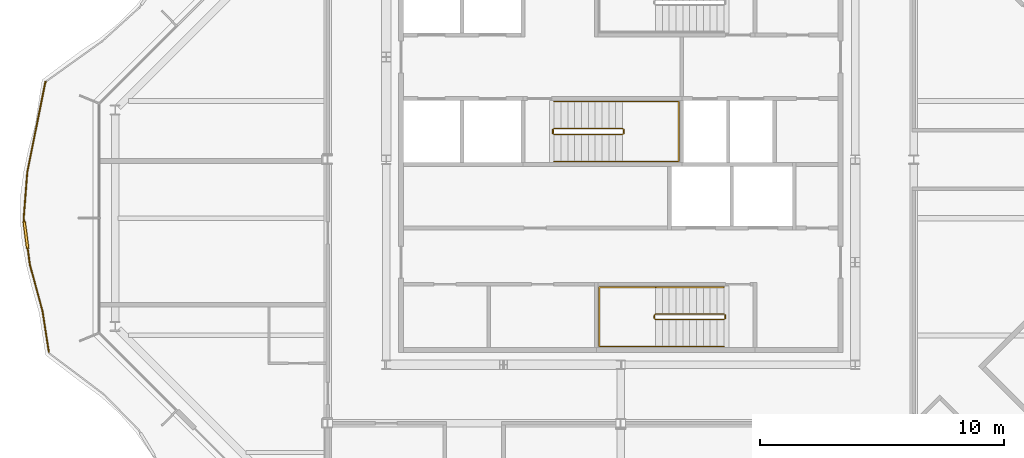
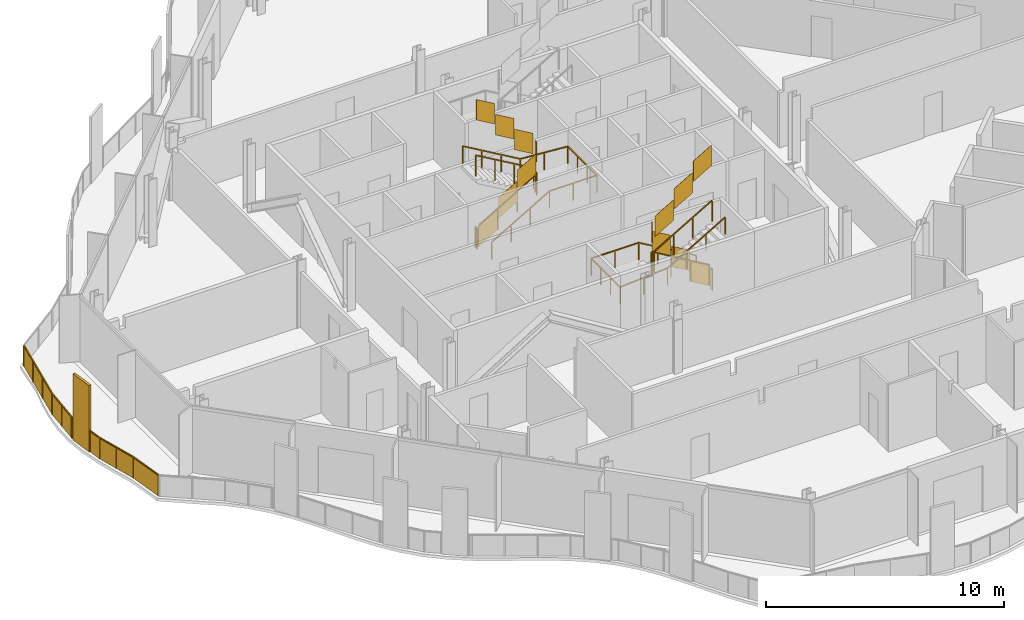
# One storey, part 14 of 17: 7 railings.
"""IFC4 building model written with IfcOpenShell, lengths in metres."""

import ifcopenshell
import ifcopenshell.guid

model = None  # the IFC model being written
_history = None  # IfcOwnerHistory: only IFC2X3 demands one
_inside = {}  # id of a spatial element -> (the spatial element, [elements in it])
_under = {}  # id of a project, library or spatial element -> (it, [spatial elements below it])
_declared = {}  # id of a project -> (the project, [libraries it declares])
_typed = {}  # id of a type object -> (the type object, [elements of that type])
_made_of = {}  # id of a material, layer set ... -> (it, [elements and type objects made of it])


def new_model(schema):
    """Start an empty IFC model of exactly this schema.

    Asked for "IFC4X3", IfcOpenShell would pick the latest addendum, in which some entities
    have other attributes; the version numbers below select the first issue.
    IFC2X3 requires an IfcOwnerHistory on every rooted entity: one is made here for all.
    """
    global model, _history
    if schema == "IFC4X3":
        model = ifcopenshell.file(schema_version=(4, 3, 0, 0))
    else:
        model = ifcopenshell.file(schema=schema)
    _inside.clear()
    _under.clear()
    _declared.clear()
    _typed.clear()
    _made_of.clear()
    _history = None
    if model.schema == "IFC2X3":
        org = make("IfcOrganization", Name="unknown")
        user = make(
            "IfcPersonAndOrganization",
            ThePerson=make("IfcPerson", FamilyName="unknown"),
            TheOrganization=org,
        )
        app = make(
            "IfcApplication",
            ApplicationDeveloper=org,
            Version="unknown",
            ApplicationFullName="unknown",
            ApplicationIdentifier="unknown",
        )
        _history = make(
            "IfcOwnerHistory",
            OwningUser=user,
            OwningApplication=app,
            ChangeAction="ADDED",
            CreationDate=0,
        )
    return model


def make(cls, **values):
    """One entity of the class cls with the attributes given. An attribute that is None is left unset."""
    return model.create_entity(
        cls, **{name: value for name, value in values.items() if value is not None}
    )


def rooted(cls, **values):
    """An entity with a GlobalId (a new one), such as an element, a storey or a relation."""
    return make(cls, GlobalId=ifcopenshell.guid.new(), OwnerHistory=_history, **values)


def si_unit(unit_type, name, prefix=None):
    """IfcSIUnit, for example si_unit("LENGTHUNIT", "METRE", prefix="MILLI")."""
    return make("IfcSIUnit", UnitType=unit_type, Prefix=prefix, Name=name)


def assignment(units):
    """IfcUnitAssignment: the units of a project."""
    return None if units is None else make("IfcUnitAssignment", Units=units)


def point(xyz):
    """IfcCartesianPoint."""
    return None if xyz is None else make("IfcCartesianPoint", Coordinates=xyz)


def direction(xyz):
    """IfcDirection."""
    return None if xyz is None else make("IfcDirection", DirectionRatios=xyz)


def frame(location, z_axis=None, x_axis=None):
    """IfcAxis2Placement3D, a coordinate frame: its origin and axes. An axis left out is left unset."""
    return make(
        "IfcAxis2Placement3D",
        Location=point(location),
        Axis=direction(z_axis),
        RefDirection=direction(x_axis),
    )


def frame_2d(location, x_axis=None):
    """IfcAxis2Placement2D, a coordinate frame in the plane: its origin and x axis."""
    return make(
        "IfcAxis2Placement2D", Location=point(location), RefDirection=direction(x_axis)
    )


def origin():
    """The frame at (0, 0, 0) with its axes left unset."""
    return frame((0.0, 0.0, 0.0))


def origin_2d():
    """The frame at (0, 0) in the plane with its x axis left unset."""
    return frame_2d((0.0, 0.0))


def place(relative_to, where):
    """IfcLocalPlacement: puts the frame where relative to a parent placement (None: the world)."""
    return make(
        "IfcLocalPlacement", PlacementRelTo=relative_to, RelativePlacement=where
    )


def context(
    kind, dimensions, precision=None, world=None, true_north=None, identifier=None
):
    """IfcGeometricRepresentationContext, for example the 3D "Model" context."""
    return make(
        "IfcGeometricRepresentationContext",
        ContextIdentifier=identifier,
        ContextType=kind,
        CoordinateSpaceDimension=dimensions,
        Precision=precision,
        WorldCoordinateSystem=world,
        TrueNorth=true_north,
    )


def subcontext(parent, identifier, kind, view, scale=None):
    """IfcGeometricRepresentationSubContext, for example "Body" below "Model"."""
    return make(
        "IfcGeometricRepresentationSubContext",
        ContextIdentifier=identifier,
        ContextType=kind,
        ParentContext=parent,
        TargetScale=scale,
        TargetView=view,
    )


def project(units=None, contexts=None):
    """IfcProject with its units and contexts."""
    return rooted(
        "IfcProject",
        Name="project",
        RepresentationContexts=contexts,
        UnitsInContext=assignment(units),
    )


def spatial(cls, under=None, at=None, **own):
    """A site, building, storey or space (cls), placed at a placement, below another one or the project."""
    s = rooted(cls, ObjectPlacement=at, **own)
    if under is not None:
        _under.setdefault(under.id(), (under, []))[1].append(s)
    return s


def polyline(points):
    """IfcPolyline through the points."""
    return make("IfcPolyline", Points=[point(p) for p in points])


def profile(cls, at=None, kind="AREA", **sizes):
    """A parametric profile (cls). Its sizes go by their IFC names, for example OverallWidth=200.0."""
    return make(cls, ProfileType=kind, Position=at, **sizes)


def rectangle(**sizes):
    """IfcRectangleProfileDef."""
    return profile("IfcRectangleProfileDef", **sizes)


def outline(outer, holes=None, kind="AREA"):
    """IfcArbitraryClosedProfileDef: a profile drawn as a closed curve; with holes, ...WithVoids."""
    if holes is None:
        return make("IfcArbitraryClosedProfileDef", ProfileType=kind, OuterCurve=outer)
    return make(
        "IfcArbitraryProfileDefWithVoids",
        ProfileType=kind,
        OuterCurve=outer,
        InnerCurves=holes,
    )


def extrude(swept, where, along, depth):
    """IfcExtrudedAreaSolid: the profile swept, set in the frame where, extruded along a direction by depth."""
    return make(
        "IfcExtrudedAreaSolid",
        SweptArea=swept,
        Position=where,
        ExtrudedDirection=direction(along),
        Depth=depth,
    )


def shape(context_of_items, identifier, shape_type, items):
    """IfcShapeRepresentation: the items that make up one representation, for example the "Body"."""
    return make(
        "IfcShapeRepresentation",
        ContextOfItems=context_of_items,
        RepresentationIdentifier=identifier,
        RepresentationType=shape_type,
        Items=items,
    )


def material(Name=None, Category=None):
    """IfcMaterial."""
    return make("IfcMaterial", Name=Name, Category=Category)


def made_of(thing, what):
    """Note that an element or type object is made of a material, layer set ...; save() writes the relation."""
    if what is not None:
        _made_of.setdefault(what.id(), (what, []))[1].append(thing)
    return thing


def type_object(cls, material=None, **own):
    """A type object (cls), such as IfcWallType, which elements share."""
    return made_of(rooted(cls, **own), material)


def element(
    cls,
    number,
    at=None,
    inside=None,
    cuts=None,
    type_object=None,
    material=None,
    context=None,
    identifier="Body",
    shape_type=None,
    held_by="IfcProductDefinitionShape",
    body=None,
    shapes=None,
    **own,
):
    """One element of the class cls, such as IfcWall. Its Tag is "e" and its number.

    at: its placement. inside: the storey or other place that contains it. cuts: it is an
    opening in that element (IfcRelVoidsElement). A single representation is given by context,
    identifier, shape_type and body (its items); several are given by shapes. held_by: the class
    of the entity that holds the representations. save() writes the other relations.
    """
    e = rooted(cls, Tag="e%d" % number, ObjectPlacement=at, **own)
    if body is not None:
        shapes = [shape(context, identifier, shape_type, body)]
    if shapes is not None:
        e.Representation = make(held_by, Representations=shapes)
    if inside is not None:
        _inside.setdefault(inside.id(), (inside, []))[1].append(e)
    if cuts is not None:
        rooted(
            "IfcRelVoidsElement", RelatingBuildingElement=cuts, RelatedOpeningElement=e
        )
    if type_object is not None:
        _typed.setdefault(type_object.id(), (type_object, []))[1].append(e)
    return made_of(e, material)


def aggregate(whole, parts):
    """IfcRelAggregates: a whole, such as a stair, and the parts it consists of."""
    return rooted("IfcRelAggregates", RelatingObject=whole, RelatedObjects=parts)


def save(model, path):
    """Write the relations noted so far, then the file.

    IfcRelAggregates (storeys below a building ...), IfcRelContainedInSpatialStructure (elements
    in a storey), IfcRelDefinesByType, IfcRelAssociatesMaterial and IfcRelDeclares: one each for
    every whole, place, type object, material and project.
    """
    for whole, parts in _under.values():
        aggregate(whole, parts)
    for where, things in _inside.values():
        rooted(
            "IfcRelContainedInSpatialStructure",
            RelatedElements=things,
            RelatingStructure=where,
        )
    for kind, things in _typed.values():
        rooted("IfcRelDefinesByType", RelatedObjects=things, RelatingType=kind)
    for what, things in _made_of.values():
        rooted("IfcRelAssociatesMaterial", RelatedObjects=things, RelatingMaterial=what)
    for by, libraries in _declared.values():
        rooted("IfcRelDeclares", RelatingContext=by, RelatedDefinitions=libraries)
    model.write(path)


model = new_model("IFC4")

# Units and contexts
model_context = context("Model", 3, precision=1e-05, world=origin(), true_north=direction((0.0, 1.0)))
body_context = subcontext(model_context, "Body", "Model", "MODEL_VIEW")
ifc_project = project(units=[si_unit("LENGTHUNIT", "METRE"), si_unit("AREAUNIT", "SQUARE_METRE"), si_unit("VOLUMEUNIT", "CUBIC_METRE"), si_unit("PLANEANGLEUNIT", "RADIAN"), si_unit("MASSUNIT", "GRAM", prefix="KILO")], contexts=[model_context])

# Site, building, storey
site_placement = place(None, origin())
site = spatial("IfcSite", under=ifc_project, at=site_placement, CompositionType="ELEMENT")
building_placement = place(site_placement, origin())
building = spatial("IfcBuilding", under=site, at=building_placement, Name="Cairn Pilgrim Tower", CompositionType="ELEMENT")
storey_placement = place(building_placement, frame((0.0, 0.0, 246.60009765625)))
storey = spatial("IfcBuildingStorey", under=building, at=storey_placement, Name="L63", CompositionType="ELEMENT", Elevation=246.60009765625)

# Railings
ifc_material_1 = material(Name="Bronze anodised aluminium rail, posts and fin screens with laminated glass infill", Category="aluminium")
railing_type_1 = type_object("IfcRailingType", Name="BALCONY GUARD WITH FIN SCREENS", PredefinedType="GUARDRAIL", material=ifc_material_1)
railing_1_placement = place(storey_placement, frame((-16.3564453125, 5.578857421875, 0.0)))
element("IfcRailing", 1, at=railing_1_placement, inside=storey, type_object=railing_type_1, Name="Balcony guard BGF-7 with fin screens", PredefinedType="GUARDRAIL", context=body_context, shape_type="SweptSolid", body=[
    extrude(rectangle(XDim=0.050048828125, YDim=0.050048828125, at=origin_2d()), frame((0.0, 0.0, 1.0751953125), z_axis=(-0.197341800599, -0.980334745756, 0.0), x_axis=(0.980334745756, -0.197341800599, 0.0)), (0.0, 0.0, 1.0), 3.75341796875),
    extrude(rectangle(XDim=0.050048828125, YDim=0.050048828125, at=origin_2d()), frame((-0.74072265625, -3.6796875, 1.0751953125), z_axis=(-0.077963466055, -0.996956216672, 0.0), x_axis=(0.996956216672, -0.077963466055, 0.0)), (0.0, 0.0, 1.0), 1.90087890625),
    extrude(rectangle(XDim=1.10009765625, YDim=0.110107421875, at=origin_2d()), frame((-0.796875, -6.268798828125, 0.0), z_axis=(0.0, 0.0, 1.0), x_axis=(0.131326883347, -0.991339119429, 0.0)), (0.0, 0.0, 1.0), 3.39990234375),
    extrude(rectangle(XDim=0.050048828125, YDim=0.050048828125, at=origin_2d()), frame((-0.888916015625, -5.57470703125, 1.0751953125), z_axis=(0.131326883347, -0.991339119429, 0.0), x_axis=(0.991339119429, 0.131326883347, 0.0)), (0.0, 0.0, 1.0), 0.150146484375),
    extrude(rectangle(XDim=0.050048828125, YDim=0.050048828125, at=origin_2d()), frame((-0.724853515625, -6.81396484375, 1.0751953125), z_axis=(0.131326883347, -0.991339119429, 0.0), x_axis=(0.991339119429, 0.131326883347, 0.0)), (0.0, 0.0, 1.0), 0.660888671875),
    extrude(rectangle(XDim=0.050048828125, YDim=0.050048828125, at=origin_2d()), frame((-0.637939453125, -7.46923828125, 1.0751953125), z_axis=(0.261849312451, -0.965108769812, 0.0), x_axis=(0.965108769812, 0.261849312451, 0.0)), (0.0, 0.0, 1.0), 1.98779296875),
    extrude(rectangle(XDim=0.050048828125, YDim=0.050048828125, at=origin_2d()), frame((-0.117431640625, -9.3876953125, 1.0751953125), z_axis=(0.153185187628, -0.988197499638, 0.0), x_axis=(0.988197499638, 0.153185187628, 0.0)), (0.0, 0.0, 1.0), 1.675048828125),
    extrude(rectangle(XDim=0.050048828125, YDim=0.050048828125, at=origin_2d()), origin(), (0.0, 0.0, 1.0), 1.050048828125),
    extrude(rectangle(XDim=0.050048828125, YDim=0.050048828125, at=origin_2d()), frame((-0.246826171875, -1.2265625, 0.0)), (0.0, 0.0, 1.0), 1.050048828125),
    extrude(rectangle(XDim=0.050048828125, YDim=0.050048828125, at=origin_2d()), frame((-0.493896484375, -2.453125, 0.0)), (0.0, 0.0, 1.0), 1.050048828125),
    extrude(rectangle(XDim=0.050048828125, YDim=0.050048828125, at=origin_2d()), frame((-0.74072265625, -3.6796875, 0.0)), (0.0, 0.0, 1.0), 1.050048828125),
    extrude(rectangle(XDim=0.050048828125, YDim=0.050048828125, at=origin_2d()), frame((-0.81494140625, -4.627197265625, 0.0)), (0.0, 0.0, 1.0), 1.050048828125),
    extrude(rectangle(XDim=0.050048828125, YDim=0.050048828125, at=origin_2d()), frame((-0.888916015625, -5.57470703125, 0.0)), (0.0, 0.0, 1.0), 1.050048828125),
    extrude(rectangle(XDim=0.050048828125, YDim=0.050048828125, at=origin_2d()), frame((-0.87255859375, -5.69873046875, 0.0)), (0.0, 0.0, 1.0), 1.050048828125),
    extrude(rectangle(XDim=0.050048828125, YDim=0.050048828125, at=origin_2d()), frame((-0.721435546875, -6.8388671875, 0.0)), (0.0, 0.0, 1.0), 1.050048828125),
    extrude(rectangle(XDim=0.050048828125, YDim=0.050048828125, at=origin_2d()), frame((-0.637939453125, -7.46923828125, 0.0)), (0.0, 0.0, 1.0), 1.050048828125),
    extrude(rectangle(XDim=0.050048828125, YDim=0.050048828125, at=origin_2d()), frame((-0.377685546875, -8.428466796875, 0.0)), (0.0, 0.0, 1.0), 1.050048828125),
    extrude(rectangle(XDim=0.050048828125, YDim=0.050048828125, at=origin_2d()), frame((-0.117431640625, -9.3876953125, 0.0)), (0.0, 0.0, 1.0), 1.050048828125),
    extrude(rectangle(XDim=0.050048828125, YDim=0.050048828125, at=origin_2d()), frame((0.13916015625, -11.04296875, 0.0)), (0.0, 0.0, 1.0), 1.050048828125),
    extrude(outline(polyline([(0.02490234375, 0.0), (1.22607421875, 0.0), (1.22607421875, 1.050048828125), (0.02490234375, 1.050048828125), (0.02490234375, 0.0)])), frame((0.005859375, -0.001220703125, 0.0), z_axis=(-0.980334745756, 0.197341800599, 0.0), x_axis=(-0.197341800599, -0.980334745756, 0.0)), (0.0, 0.0, 1.0), 0.011962890625),
    extrude(outline(polyline([(0.02490234375, 0.0), (1.22607421875, 0.0), (1.22607421875, 1.050048828125), (0.02490234375, 1.050048828125), (0.02490234375, 0.0)])), frame((-0.240966796875, -1.227783203125, 0.0), z_axis=(-0.980334745756, 0.197341800599, 0.0), x_axis=(-0.197341800599, -0.980334745756, 0.0)), (0.0, 0.0, 1.0), 0.011962890625),
    extrude(outline(polyline([(0.02490234375, 0.0), (1.22607421875, 0.0), (1.22607421875, 1.050048828125), (0.02490234375, 1.050048828125), (0.02490234375, 0.0)])), frame((-0.488037109375, -2.454345703125, 0.0), z_axis=(-0.980334745756, 0.197341800599, 0.0), x_axis=(-0.197341800599, -0.980334745756, 0.0)), (0.0, 0.0, 1.0), 0.011962890625),
    extrude(outline(polyline([(0.02490234375, 0.0), (0.92529296875, 0.0), (0.92529296875, 1.050048828125), (0.02490234375, 1.050048828125), (0.02490234375, 0.0)])), frame((-0.73486328125, -3.68017578125, 0.0), z_axis=(-0.996956216672, 0.077963466055, 0.0), x_axis=(-0.077963466055, -0.996956216672, 0.0)), (0.0, 0.0, 1.0), 0.011962890625),
    extrude(outline(polyline([(0.02490234375, 0.0), (0.92529296875, 0.0), (0.92529296875, 1.050048828125), (0.02490234375, 1.050048828125), (0.02490234375, 0.0)])), frame((-0.808837890625, -4.627685546875, 0.0), z_axis=(-0.996956216672, 0.077963466055, 0.0), x_axis=(-0.077963466055, -0.996956216672, 0.0)), (0.0, 0.0, 1.0), 0.011962890625),
    extrude(outline(polyline([(0.02490234375, 0.0), (0.10009765625, 0.0), (0.10009765625, 1.050048828125), (0.02490234375, 1.050048828125), (0.02490234375, 0.0)])), frame((-0.883056640625, -5.573974609375, 0.0), z_axis=(-0.991339119429, -0.131326883347, 0.0), x_axis=(0.131326883347, -0.991339119429, 0.0)), (0.0, 0.0, 1.0), 0.011962890625),
    extrude(outline(polyline([(0.02490234375, 0.0), (0.61083984375, 0.0), (0.61083984375, 1.050048828125), (0.02490234375, 1.050048828125), (0.02490234375, 0.0)])), frame((-0.715576171875, -6.838134765625, 0.0), z_axis=(-0.991339119429, -0.131326883347, 0.0), x_axis=(0.131326883347, -0.991339119429, 0.0)), (0.0, 0.0, 1.0), 0.011962890625),
    extrude(outline(polyline([(0.02490234375, 0.0), (0.968994140625, 0.0), (0.968994140625, 1.050048828125), (0.02490234375, 1.050048828125), (0.02490234375, 0.0)])), frame((-0.632080078125, -7.4677734375, 0.0), z_axis=(-0.965108769812, -0.261849312451, 0.0), x_axis=(0.261849312451, -0.965108769812, 0.0)), (0.0, 0.0, 1.0), 0.011962890625),
    extrude(outline(polyline([(0.02490234375, 0.0), (0.968994140625, 0.0), (0.968994140625, 1.050048828125), (0.02490234375, 1.050048828125), (0.02490234375, 0.0)])), frame((-0.371826171875, -8.427001953125, 0.0), z_axis=(-0.965108769812, -0.261849312451, 0.0), x_axis=(0.261849312451, -0.965108769812, 0.0)), (0.0, 0.0, 1.0), 0.011962890625),
    extrude(outline(polyline([(0.02490234375, 0.0), (1.64990234375, 0.0), (1.64990234375, 1.050048828125), (0.02490234375, 1.050048828125), (0.02490234375, 0.0)])), frame((-0.111572265625, -9.38671875, 0.0), z_axis=(-0.988197499638, -0.153185187628, 0.0), x_axis=(0.153185187628, -0.988197499638, 0.0)), (0.0, 0.0, 1.0), 0.011962890625),
])
ifc_material_2 = material(Name="Painted steel", Category="steel")
railing_type_2 = type_object("IfcRailingType", Name="STAIR GUARD 1100", PredefinedType="GUARDRAIL", material=ifc_material_2)
railing_2_placement = place(storey_placement, frame((11.425048828125, -3.925048828125, 0.16357421875)))
element("IfcRailing", 2, at=railing_2_placement, inside=storey, type_object=railing_type_2, Name="L63 ST-A stair guard 1", PredefinedType="GUARDRAIL", context=body_context, shape_type="SweptSolid", body=[
    extrude(rectangle(XDim=0.048095703125, YDim=0.048095703125, at=origin_2d()), frame((0.0, 0.0, 1.076171875), z_axis=(-0.863393664356, 0.0, 0.504530851732), x_axis=(0.0, -1.0, 0.0)), (0.0, 0.0, 1.0), 3.2431640625),
    extrude(rectangle(XDim=0.048095703125, YDim=0.048095703125, at=origin_2d()), frame((-2.800048828125, 0.0, 2.71240234375), z_axis=(-0.707106781187, -0.707106781187, 0.0), x_axis=(0.707106781187, -0.707106781187, 0.0)), (0.0, 0.0, 1.0), 0.07080078125),
    extrude(rectangle(XDim=0.048095703125, YDim=0.048095703125, at=origin_2d()), frame((-2.85009765625, -0.050048828125, 2.71240234375), z_axis=(0.0, -1.0, 0.0), x_axis=(1.0, 0.0, 0.0)), (0.0, 0.0, 1.0), 0.125),
    extrude(rectangle(XDim=0.048095703125, YDim=0.048095703125, at=origin_2d()), frame((-2.85009765625, -0.175048828125, 2.71240234375), z_axis=(0.280563532951, -0.279194930351, 0.91833234444), x_axis=(0.705375805398, 0.708833529934, 0.0)), (0.0, 0.0, 1.0), 0.178466796875),
    extrude(rectangle(XDim=0.048095703125, YDim=0.048095703125, at=origin_2d()), frame((-2.800048828125, -0.224853515625, 2.8759765625), z_axis=(0.863393664356, 0.0, 0.504530851732), x_axis=(0.0, 1.0, 0.0)), (0.0, 0.0, 1.0), 3.2431640625),
    extrude(rectangle(XDim=0.0419921875, YDim=0.0419921875, at=origin_2d()), origin(), (0.0, 0.0, 1.0), 1.052001953125),
    extrude(rectangle(XDim=0.0419921875, YDim=0.0419921875, at=origin_2d()), frame((-0.933349609375, 0.0, 0.54541015625)), (0.0, 0.0, 1.0), 1.052001953125),
    extrude(rectangle(XDim=0.0419921875, YDim=0.0419921875, at=origin_2d()), frame((-1.86669921875, 0.0, 1.0908203125)), (0.0, 0.0, 1.0), 1.052001953125),
    extrude(rectangle(XDim=0.0419921875, YDim=0.0419921875, at=origin_2d()), frame((-2.800048828125, 0.0, 1.63623046875)), (0.0, 0.0, 1.0), 1.052001953125),
    extrude(rectangle(XDim=0.0419921875, YDim=0.0419921875, at=origin_2d()), frame((-2.85009765625, -0.050048828125, 1.63623046875)), (0.0, 0.0, 1.0), 1.052001953125),
    extrude(rectangle(XDim=0.0419921875, YDim=0.0419921875, at=origin_2d()), frame((-2.85009765625, -0.175048828125, 1.63623046875)), (0.0, 0.0, 1.0), 1.052001953125),
    extrude(rectangle(XDim=0.0419921875, YDim=0.0419921875, at=origin_2d()), frame((-2.800048828125, -0.224853515625, 1.800048828125)), (0.0, 0.0, 1.0), 1.052001953125),
    extrude(rectangle(XDim=0.0419921875, YDim=0.0419921875, at=origin_2d()), frame((-1.86669921875, -0.224853515625, 2.345458984375)), (0.0, 0.0, 1.0), 1.052001953125),
    extrude(rectangle(XDim=0.0419921875, YDim=0.0419921875, at=origin_2d()), frame((-0.933349609375, -0.224853515625, 2.890869140625)), (0.0, 0.0, 1.0), 1.052001953125),
    extrude(rectangle(XDim=0.0419921875, YDim=0.0419921875, at=origin_2d()), frame((0.0, -0.224853515625, 3.436279296875)), (0.0, 0.0, 1.0), 1.052001953125),
    extrude(outline(polyline([(0.02099609375, 0.01220703125), (0.912353515625, 0.533203125), (0.912353515625, 1.585205078125), (0.02099609375, 1.064208984375), (0.02099609375, 0.01220703125)])), frame((0.0, -0.005859375, 0.0), z_axis=(0.0, 1.0, 0.0), x_axis=(-1.0, 0.0, 0.0)), (0.0, 0.0, 1.0), 0.011962890625),
    extrude(outline(polyline([(0.02099609375, 0.5576171875), (0.912353515625, 1.07861328125), (0.912353515625, 2.130615234375), (0.02099609375, 1.609619140625), (0.02099609375, 0.5576171875)])), frame((-0.933349609375, -0.005859375, 0.54541015625), z_axis=(0.0, 1.0, 0.0), x_axis=(-1.0, 0.0, 0.0)), (0.0, 0.0, 1.0), 0.011962890625),
    extrude(outline(polyline([(0.02099609375, 1.10302734375), (0.912353515625, 1.6240234375), (0.912353515625, 2.676025390625), (0.02099609375, 2.155029296875), (0.02099609375, 1.10302734375)])), frame((-1.86669921875, -0.005859375, 1.0908203125), z_axis=(0.0, 1.0, 0.0), x_axis=(-1.0, 0.0, 0.0)), (0.0, 0.0, 1.0), 0.011962890625),
    extrude(outline(polyline([(0.02099609375, 1.63623046875), (0.10400390625, 1.63623046875), (0.10400390625, 2.688232421875), (0.02099609375, 2.688232421875), (0.02099609375, 1.63623046875)])), frame((-2.84423828125, -0.050048828125, 1.63623046875), z_axis=(-1.0, 0.0, 0.0), x_axis=(0.0, -1.0, 0.0)), (0.0, 0.0, 1.0), 0.011962890625),
    extrude(outline(polyline([(0.02099609375, 1.812255859375), (0.912353515625, 2.333251953125), (0.912353515625, 3.38525390625), (0.02099609375, 2.8642578125), (0.02099609375, 1.812255859375)])), frame((-2.800048828125, -0.21875, 1.800048828125), z_axis=(0.0, -1.0, 0.0), x_axis=(1.0, 0.0, 0.0)), (0.0, 0.0, 1.0), 0.011962890625),
    extrude(outline(polyline([(0.02099609375, 2.357666015625), (0.912353515625, 2.878662109375), (0.912353515625, 3.9306640625), (0.02099609375, 3.40966796875), (0.02099609375, 2.357666015625)])), frame((-1.86669921875, -0.21875, 2.345458984375), z_axis=(0.0, -1.0, 0.0), x_axis=(1.0, 0.0, 0.0)), (0.0, 0.0, 1.0), 0.011962890625),
    extrude(outline(polyline([(0.02099609375, 2.903076171875), (0.912353515625, 3.424072265625), (0.912353515625, 4.47607421875), (0.02099609375, 3.955078125), (0.02099609375, 2.903076171875)])), frame((-0.933349609375, -0.21875, 2.890869140625), z_axis=(0.0, -1.0, 0.0), x_axis=(1.0, 0.0, 0.0)), (0.0, 0.0, 1.0), 0.011962890625),
])
railing_3_placement = place(storey_placement, frame((11.47509765625, -3.97509765625, 0.0)))
element("IfcRailing", 3, at=railing_3_placement, inside=storey, type_object=railing_type_2, Name="L63 ST-A stair guard 2", PredefinedType="GUARDRAIL", context=body_context, shape_type="SweptSolid", body=[
    extrude(rectangle(XDim=0.048095703125, YDim=0.048095703125, at=origin_2d()), frame((0.0, 0.0, 1.076171875), z_axis=(0.0, -1.0, 0.0), x_axis=(1.0, 0.0, 0.0)), (0.0, 0.0, 1.0), 0.125),
    extrude(rectangle(XDim=0.0419921875, YDim=0.0419921875, at=origin_2d()), origin(), (0.0, 0.0, 1.0), 1.052001953125),
    extrude(rectangle(XDim=0.0419921875, YDim=0.0419921875, at=origin_2d()), frame((0.0, -0.125, 0.0)), (0.0, 0.0, 1.0), 1.052001953125),
    extrude(outline(polyline([(0.02099609375, 0.0), (0.10400390625, 0.0), (0.10400390625, 1.052001953125), (0.02099609375, 1.052001953125), (0.02099609375, 0.0)])), frame((0.005859375, 0.0, 0.0), z_axis=(-1.0, 0.0, 0.0), x_axis=(0.0, -1.0, 0.0)), (0.0, 0.0, 1.0), 0.011962890625),
])
railing_4_placement = place(storey_placement, frame((4.47509765625, 3.425048828125, 0.16357421875)))
element("IfcRailing", 4, at=railing_4_placement, inside=storey, type_object=railing_type_2, Name="L63 ST-B stair guard 1", PredefinedType="GUARDRAIL", context=body_context, shape_type="SweptSolid", body=[
    extrude(rectangle(XDim=0.048095703125, YDim=0.048095703125, at=origin_2d()), frame((0.0, 0.0, 1.076171875), z_axis=(0.863374499697, 0.0, 0.504563646405), x_axis=(0.0, 1.0, 0.0)), (0.0, 0.0, 1.0), 3.242919921875),
    extrude(rectangle(XDim=0.048095703125, YDim=0.048095703125, at=origin_2d()), frame((2.7998046875, 0.0, 2.71240234375), z_axis=(0.707106781187, 0.707106781187, 0.0), x_axis=(-0.707106781187, 0.707106781187, 0.0)), (0.0, 0.0, 1.0), 0.07080078125),
    extrude(rectangle(XDim=0.048095703125, YDim=0.048095703125, at=origin_2d()), frame((2.849853515625, 0.050048828125, 2.71240234375), z_axis=(0.0, 1.0, 0.0), x_axis=(-1.0, 0.0, 0.0)), (0.0, 0.0, 1.0), 0.14990234375),
    extrude(rectangle(XDim=0.048095703125, YDim=0.048095703125, at=origin_2d()), frame((2.849853515625, 0.199951171875, 2.71240234375), z_axis=(-0.280456126637, 0.280456126637, 0.917980785237), x_axis=(-0.707106781187, -0.707106781187, 0.0)), (0.0, 0.0, 1.0), 0.178466796875),
    extrude(rectangle(XDim=0.048095703125, YDim=0.048095703125, at=origin_2d()), frame((2.7998046875, 0.25, 2.8759765625), z_axis=(-0.863374499697, 0.0, 0.504563646405), x_axis=(0.0, -1.0, 0.0)), (0.0, 0.0, 1.0), 3.242919921875),
    extrude(rectangle(XDim=0.0419921875, YDim=0.0419921875, at=origin_2d()), origin(), (0.0, 0.0, 1.0), 1.052001953125),
    extrude(rectangle(XDim=0.0419921875, YDim=0.0419921875, at=origin_2d()), frame((0.933349609375, 0.0, 0.54541015625)), (0.0, 0.0, 1.0), 1.052001953125),
    extrude(rectangle(XDim=0.0419921875, YDim=0.0419921875, at=origin_2d()), frame((1.866455078125, 0.0, 1.0908203125)), (0.0, 0.0, 1.0), 1.052001953125),
    extrude(rectangle(XDim=0.0419921875, YDim=0.0419921875, at=origin_2d()), frame((2.7998046875, 0.0, 1.63623046875)), (0.0, 0.0, 1.0), 1.052001953125),
    extrude(rectangle(XDim=0.0419921875, YDim=0.0419921875, at=origin_2d()), frame((2.849853515625, 0.050048828125, 1.63623046875)), (0.0, 0.0, 1.0), 1.052001953125),
    extrude(rectangle(XDim=0.0419921875, YDim=0.0419921875, at=origin_2d()), frame((2.849853515625, 0.199951171875, 1.63623046875)), (0.0, 0.0, 1.0), 1.052001953125),
    extrude(rectangle(XDim=0.0419921875, YDim=0.0419921875, at=origin_2d()), frame((2.7998046875, 0.25, 1.800048828125)), (0.0, 0.0, 1.0), 1.052001953125),
    extrude(rectangle(XDim=0.0419921875, YDim=0.0419921875, at=origin_2d()), frame((1.866455078125, 0.25, 2.345458984375)), (0.0, 0.0, 1.0), 1.052001953125),
    extrude(rectangle(XDim=0.0419921875, YDim=0.0419921875, at=origin_2d()), frame((0.933349609375, 0.25, 2.890869140625)), (0.0, 0.0, 1.0), 1.052001953125),
    extrude(rectangle(XDim=0.0419921875, YDim=0.0419921875, at=origin_2d()), frame((0.0, 0.25, 3.436279296875)), (0.0, 0.0, 1.0), 1.052001953125),
    extrude(outline(polyline([(0.02099609375, 0.01220703125), (0.912353515625, 0.533203125), (0.912353515625, 1.585205078125), (0.02099609375, 1.064208984375), (0.02099609375, 0.01220703125)])), frame((0.0, 0.005859375, 0.0), z_axis=(0.0, -1.0, 0.0), x_axis=(1.0, 0.0, 0.0)), (0.0, 0.0, 1.0), 0.011962890625),
    extrude(outline(polyline([(0.02099609375, 0.5576171875), (0.912353515625, 1.07861328125), (0.912353515625, 2.130615234375), (0.02099609375, 1.609619140625), (0.02099609375, 0.5576171875)])), frame((0.933349609375, 0.005859375, 0.54541015625), z_axis=(0.0, -1.0, 0.0), x_axis=(1.0, 0.0, 0.0)), (0.0, 0.0, 1.0), 0.011962890625),
    extrude(outline(polyline([(0.02099609375, 1.10302734375), (0.912353515625, 1.6240234375), (0.912353515625, 2.676025390625), (0.02099609375, 2.155029296875), (0.02099609375, 1.10302734375)])), frame((1.866455078125, 0.005859375, 1.0908203125), z_axis=(0.0, -1.0, 0.0), x_axis=(1.0, 0.0, 0.0)), (0.0, 0.0, 1.0), 0.011962890625),
    extrude(outline(polyline([(0.02099609375, 1.63623046875), (0.12890625, 1.63623046875), (0.12890625, 2.688232421875), (0.02099609375, 2.688232421875), (0.02099609375, 1.63623046875)])), frame((2.84375, 0.050048828125, 1.63623046875), z_axis=(1.0, 0.0, 0.0), x_axis=(0.0, 1.0, 0.0)), (0.0, 0.0, 1.0), 0.011962890625),
    extrude(outline(polyline([(0.02099609375, 1.812255859375), (0.912353515625, 2.333251953125), (0.912353515625, 3.38525390625), (0.02099609375, 2.8642578125), (0.02099609375, 1.812255859375)])), frame((2.7998046875, 0.244140625, 1.800048828125), z_axis=(0.0, 1.0, 0.0), x_axis=(-1.0, 0.0, 0.0)), (0.0, 0.0, 1.0), 0.011962890625),
    extrude(outline(polyline([(0.02099609375, 2.357666015625), (0.912353515625, 2.878662109375), (0.912353515625, 3.9306640625), (0.02099609375, 3.40966796875), (0.02099609375, 2.357666015625)])), frame((1.866455078125, 0.244140625, 2.345458984375), z_axis=(0.0, 1.0, 0.0), x_axis=(-1.0, 0.0, 0.0)), (0.0, 0.0, 1.0), 0.011962890625),
    extrude(outline(polyline([(0.02099609375, 2.903076171875), (0.912353515625, 3.424072265625), (0.912353515625, 4.47607421875), (0.02099609375, 3.955078125), (0.02099609375, 2.903076171875)])), frame((0.933349609375, 0.244140625, 2.890869140625), z_axis=(0.0, 1.0, 0.0), x_axis=(-1.0, 0.0, 0.0)), (0.0, 0.0, 1.0), 0.011962890625),
])
railing_5_placement = place(storey_placement, frame((4.425048828125, 3.47509765625, 0.0)))
element("IfcRailing", 5, at=railing_5_placement, inside=storey, type_object=railing_type_2, Name="L63 ST-B stair guard 2", PredefinedType="GUARDRAIL", context=body_context, shape_type="SweptSolid", body=[
    extrude(rectangle(XDim=0.048095703125, YDim=0.048095703125, at=origin_2d()), frame((0.0, 0.0, 1.076171875), z_axis=(0.0, 1.0, 0.0), x_axis=(-1.0, 0.0, 0.0)), (0.0, 0.0, 1.0), 0.14990234375),
    extrude(rectangle(XDim=0.0419921875, YDim=0.0419921875, at=origin_2d()), origin(), (0.0, 0.0, 1.0), 1.052001953125),
    extrude(rectangle(XDim=0.0419921875, YDim=0.0419921875, at=origin_2d()), frame((0.0, 0.14990234375, 0.0)), (0.0, 0.0, 1.0), 1.052001953125),
    extrude(outline(polyline([(0.02099609375, 0.0), (0.12890625, 0.0), (0.12890625, 1.052001953125), (0.02099609375, 1.052001953125), (0.02099609375, 0.0)])), frame((-0.005859375, 0.0, 0.0), z_axis=(1.0, 0.0, 0.0), x_axis=(0.0, 1.0, 0.0)), (0.0, 0.0, 1.0), 0.011962890625),
])
railing_type_3 = type_object("IfcRailingType", Name="STAIR HANDRAIL 900", PredefinedType="HANDRAIL", material=ifc_material_2)
railing_6_placement = place(storey_placement, frame((11.425048828125, -2.824951171875, 0.16357421875)))
element("IfcRailing", 6, at=railing_6_placement, inside=storey, type_object=railing_type_3, Name="L63 ST-A stair handrail 1", PredefinedType="HANDRAIL", context=body_context, shape_type="SweptSolid", body=[
    extrude(rectangle(XDim=0.048095703125, YDim=0.048095703125, at=origin_2d()), frame((0.0, 0.0, 0.8759765625), z_axis=(-0.863393664356, 0.0, 0.504530851732), x_axis=(0.0, -1.0, 0.0)), (0.0, 0.0, 1.0), 3.2431640625),
    extrude(rectangle(XDim=0.048095703125, YDim=0.048095703125, at=origin_2d()), frame((-2.800048828125, 0.0, 2.51220703125), z_axis=(-1.0, 0.0, 0.0), x_axis=(0.0, -1.0, 0.0)), (0.0, 0.0, 1.0), 2.300048828125),
    extrude(rectangle(XDim=0.048095703125, YDim=0.048095703125, at=origin_2d()), frame((-5.10009765625, 0.0, 2.51220703125), z_axis=(0.0, -1.0, 0.0), x_axis=(1.0, 0.0, 0.0)), (0.0, 0.0, 1.0), 2.425048828125),
    extrude(rectangle(XDim=0.048095703125, YDim=0.048095703125, at=origin_2d()), frame((-5.10009765625, -2.425048828125, 2.51220703125), z_axis=(0.99747319029, 0.0, 0.071043892441), x_axis=(0.0, 1.0, 0.0)), (0.0, 0.0, 1.0), 2.305908203125),
    extrude(rectangle(XDim=0.048095703125, YDim=0.048095703125, at=origin_2d()), frame((-2.800048828125, -2.425048828125, 2.67578125), z_axis=(0.863393664356, 0.0, 0.504530851732), x_axis=(0.0, 1.0, 0.0)), (0.0, 0.0, 1.0), 3.2431640625),
    extrude(rectangle(XDim=0.0419921875, YDim=0.0419921875, at=origin_2d()), origin(), (0.0, 0.0, 1.0), 0.851806640625),
    extrude(rectangle(XDim=0.0419921875, YDim=0.0419921875, at=origin_2d()), frame((-0.933349609375, 0.0, 0.54541015625)), (0.0, 0.0, 1.0), 0.851806640625),
    extrude(rectangle(XDim=0.0419921875, YDim=0.0419921875, at=origin_2d()), frame((-1.86669921875, 0.0, 1.0908203125)), (0.0, 0.0, 1.0), 0.851806640625),
    extrude(rectangle(XDim=0.0419921875, YDim=0.0419921875, at=origin_2d()), frame((-2.800048828125, 0.0, 1.63623046875)), (0.0, 0.0, 1.0), 0.851806640625),
    extrude(rectangle(XDim=0.0419921875, YDim=0.0419921875, at=origin_2d()), frame((-3.9501953125, 0.0, 1.63623046875)), (0.0, 0.0, 1.0), 0.851806640625),
    extrude(rectangle(XDim=0.0419921875, YDim=0.0419921875, at=origin_2d()), frame((-5.10009765625, 0.0, 1.63623046875)), (0.0, 0.0, 1.0), 0.851806640625),
    extrude(rectangle(XDim=0.0419921875, YDim=0.0419921875, at=origin_2d()), frame((-5.10009765625, -0.808349609375, 1.63623046875)), (0.0, 0.0, 1.0), 0.851806640625),
    extrude(rectangle(XDim=0.0419921875, YDim=0.0419921875, at=origin_2d()), frame((-5.10009765625, -1.61669921875, 1.63623046875)), (0.0, 0.0, 1.0), 0.851806640625),
    extrude(rectangle(XDim=0.0419921875, YDim=0.0419921875, at=origin_2d()), frame((-5.10009765625, -2.425048828125, 1.63623046875)), (0.0, 0.0, 1.0), 0.851806640625),
    extrude(rectangle(XDim=0.0419921875, YDim=0.0419921875, at=origin_2d()), frame((-3.9501953125, -2.425048828125, 1.71826171875)), (0.0, 0.0, 1.0), 0.851806640625),
    extrude(rectangle(XDim=0.0419921875, YDim=0.0419921875, at=origin_2d()), frame((-2.800048828125, -2.425048828125, 1.800048828125)), (0.0, 0.0, 1.0), 0.851806640625),
    extrude(rectangle(XDim=0.0419921875, YDim=0.0419921875, at=origin_2d()), frame((-1.86669921875, -2.425048828125, 2.345458984375)), (0.0, 0.0, 1.0), 0.851806640625),
    extrude(rectangle(XDim=0.0419921875, YDim=0.0419921875, at=origin_2d()), frame((-0.933349609375, -2.425048828125, 2.890869140625)), (0.0, 0.0, 1.0), 0.851806640625),
    extrude(rectangle(XDim=0.0419921875, YDim=0.0419921875, at=origin_2d()), frame((0.0, -2.425048828125, 3.436279296875)), (0.0, 0.0, 1.0), 0.851806640625),
])
railing_7_placement = place(storey_placement, frame((4.47509765625, 2.324951171875, 0.16357421875)))
element("IfcRailing", 7, at=railing_7_placement, inside=storey, type_object=railing_type_3, Name="L63 ST-B stair handrail 1", PredefinedType="HANDRAIL", context=body_context, shape_type="SweptSolid", body=[
    extrude(rectangle(XDim=0.048095703125, YDim=0.048095703125, at=origin_2d()), frame((0.0, 0.0, 0.8759765625), z_axis=(0.863374499697, 0.0, 0.504563646405), x_axis=(0.0, 1.0, 0.0)), (0.0, 0.0, 1.0), 3.242919921875),
    extrude(rectangle(XDim=0.048095703125, YDim=0.048095703125, at=origin_2d()), frame((2.7998046875, 0.0, 2.51220703125), z_axis=(1.0, 0.0, 0.0), x_axis=(0.0, 1.0, 0.0)), (0.0, 0.0, 1.0), 2.300048828125),
    extrude(rectangle(XDim=0.048095703125, YDim=0.048095703125, at=origin_2d()), frame((5.099853515625, 0.0, 2.51220703125), z_axis=(0.0, 1.0, 0.0), x_axis=(-1.0, 0.0, 0.0)), (0.0, 0.0, 1.0), 2.449951171875),
    extrude(rectangle(XDim=0.048095703125, YDim=0.048095703125, at=origin_2d()), frame((5.099853515625, 2.449951171875, 2.51220703125), z_axis=(-0.99747319029, 0.0, 0.071043892441), x_axis=(0.0, -1.0, 0.0)), (0.0, 0.0, 1.0), 2.305908203125),
    extrude(rectangle(XDim=0.048095703125, YDim=0.048095703125, at=origin_2d()), frame((2.7998046875, 2.449951171875, 2.67578125), z_axis=(-0.863374499697, 0.0, 0.504563646405), x_axis=(0.0, -1.0, 0.0)), (0.0, 0.0, 1.0), 3.242919921875),
    extrude(rectangle(XDim=0.0419921875, YDim=0.0419921875, at=origin_2d()), origin(), (0.0, 0.0, 1.0), 0.851806640625),
    extrude(rectangle(XDim=0.0419921875, YDim=0.0419921875, at=origin_2d()), frame((0.933349609375, 0.0, 0.54541015625)), (0.0, 0.0, 1.0), 0.851806640625),
    extrude(rectangle(XDim=0.0419921875, YDim=0.0419921875, at=origin_2d()), frame((1.866455078125, 0.0, 1.0908203125)), (0.0, 0.0, 1.0), 0.851806640625),
    extrude(rectangle(XDim=0.0419921875, YDim=0.0419921875, at=origin_2d()), frame((2.7998046875, 0.0, 1.63623046875)), (0.0, 0.0, 1.0), 0.851806640625),
    extrude(rectangle(XDim=0.0419921875, YDim=0.0419921875, at=origin_2d()), frame((3.94970703125, 0.0, 1.63623046875)), (0.0, 0.0, 1.0), 0.851806640625),
    extrude(rectangle(XDim=0.0419921875, YDim=0.0419921875, at=origin_2d()), frame((5.099853515625, 0.0, 1.63623046875)), (0.0, 0.0, 1.0), 0.851806640625),
    extrude(rectangle(XDim=0.0419921875, YDim=0.0419921875, at=origin_2d()), frame((5.099853515625, 0.816650390625, 1.63623046875)), (0.0, 0.0, 1.0), 0.851806640625),
    extrude(rectangle(XDim=0.0419921875, YDim=0.0419921875, at=origin_2d()), frame((5.099853515625, 1.63330078125, 1.63623046875)), (0.0, 0.0, 1.0), 0.851806640625),
    extrude(rectangle(XDim=0.0419921875, YDim=0.0419921875, at=origin_2d()), frame((5.099853515625, 2.449951171875, 1.63623046875)), (0.0, 0.0, 1.0), 0.851806640625),
    extrude(rectangle(XDim=0.0419921875, YDim=0.0419921875, at=origin_2d()), frame((3.94970703125, 2.449951171875, 1.71826171875)), (0.0, 0.0, 1.0), 0.851806640625),
    extrude(rectangle(XDim=0.0419921875, YDim=0.0419921875, at=origin_2d()), frame((2.7998046875, 2.449951171875, 1.800048828125)), (0.0, 0.0, 1.0), 0.851806640625),
    extrude(rectangle(XDim=0.0419921875, YDim=0.0419921875, at=origin_2d()), frame((1.866455078125, 2.449951171875, 2.345458984375)), (0.0, 0.0, 1.0), 0.851806640625),
    extrude(rectangle(XDim=0.0419921875, YDim=0.0419921875, at=origin_2d()), frame((0.933349609375, 2.449951171875, 2.890869140625)), (0.0, 0.0, 1.0), 0.851806640625),
    extrude(rectangle(XDim=0.0419921875, YDim=0.0419921875, at=origin_2d()), frame((0.0, 2.449951171875, 3.436279296875)), (0.0, 0.0, 1.0), 0.851806640625),
])

save(model, "model.ifc")
